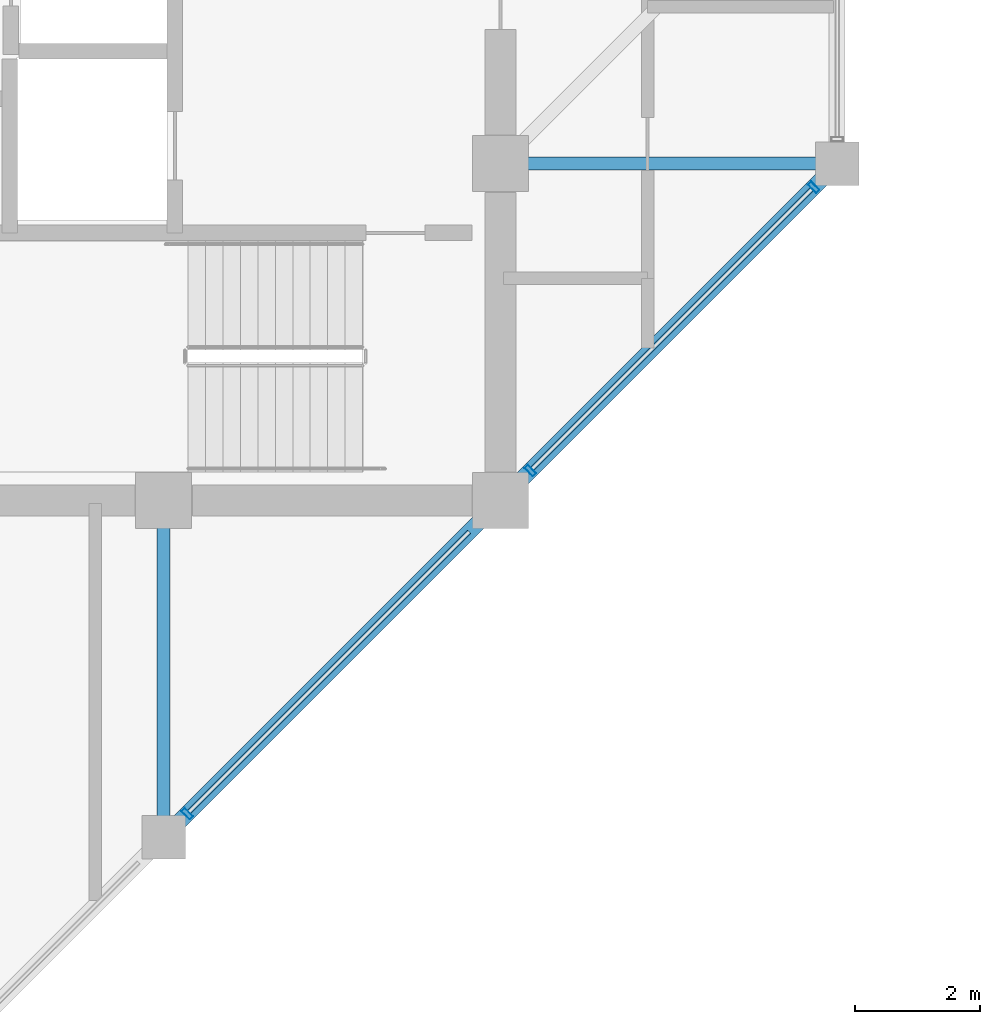
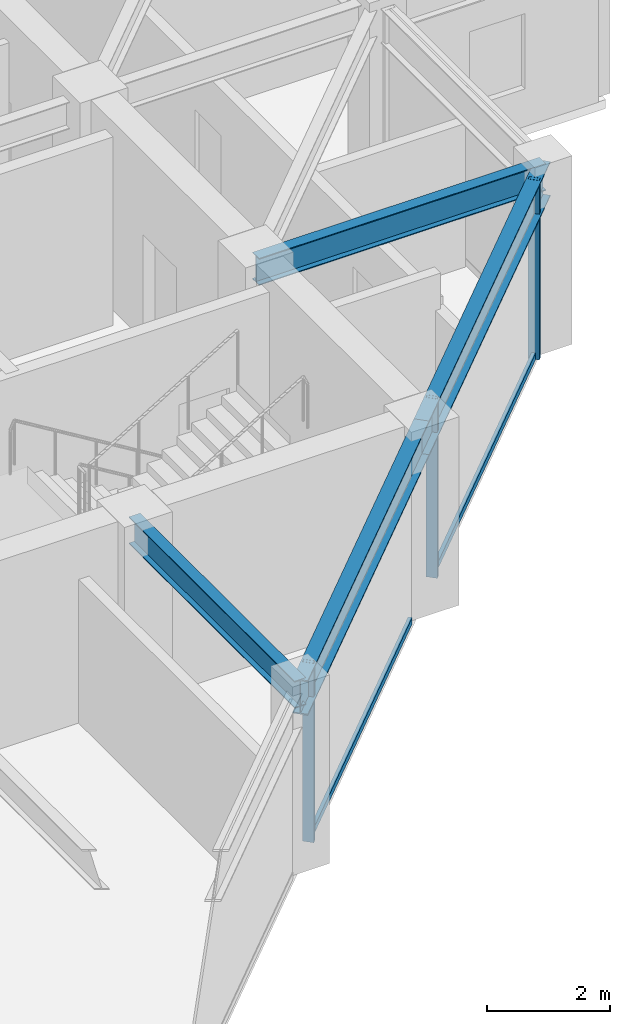
# One storey, part 10 of 30: 5 members, 4 beams, 1 element without a shape of its own.
"""IFC4 building model written with IfcOpenShell, lengths in metres."""

from ifc_helpers import new_model, si_unit, direction, frame, origin, origin_2d, place, context, subcontext, project, spatial, hollow_rectangle, i_section, extrude, material, layer, layer_set, material_profile, profile_set, type_object, element, aggregate, save


model = new_model("IFC4")

# Units and contexts
model_context = context("Model", 3, precision=1e-05, world=origin(), true_north=direction((0.0, 1.0)))
body_context = subcontext(model_context, "Body", "Model", "MODEL_VIEW")
ifc_project = project(units=[si_unit("LENGTHUNIT", "METRE"), si_unit("AREAUNIT", "SQUARE_METRE"), si_unit("VOLUMEUNIT", "CUBIC_METRE"), si_unit("PLANEANGLEUNIT", "RADIAN"), si_unit("MASSUNIT", "GRAM", prefix="KILO")], contexts=[model_context])

# Site, building, storey
site_placement = place(None, origin())
site = spatial("IfcSite", under=ifc_project, at=site_placement, CompositionType="ELEMENT")
building_placement = place(site_placement, origin())
building = spatial("IfcBuilding", under=site, at=building_placement, Name="Surkhivell Harbour Commons", CompositionType="ELEMENT")
storey_placement = place(building_placement, frame((0.0, 0.0, 303.75)))
storey = spatial("IfcBuildingStorey", under=building, at=storey_placement, Name="L79", CompositionType="ELEMENT", Elevation=303.75)

# Beams
ifc_material_1 = material(Name="Steel S355", Category="steel")
ifc_material_profile_1 = material_profile(ifc_material_1, i_section(OverallWidth=0.2099609375, OverallDepth=0.537109375, WebThickness=0.0107421875, FlangeThickness=0.017333984375, at=origin_2d()), Name="UB533x210x101")
ifc_profile_set_1 = profile_set([ifc_material_profile_1], Name="Steel S355")
beam_type_1 = type_object("IfcBeamType", Name="BM-GRD-533B", PredefinedType="BEAM", material=ifc_profile_set_1)
for number, where, z_axis, x_axis, name in (
    (1, (5.39990234375, -16.199951171875, 3.301513671875), (0.0, 1.0, 0.0), (-1.0, 0.0, 0.0), "L79 Floor Girder (5.4,-16.2)"),
    (2, (10.800048828125, -5.39990234375, 3.301513671875), (1.0, 0.0, 0.0), (0.0, 1.0, 0.0), "L79 Floor Girder (10.8,-5.4)"),
):
    element("IfcBeam", number, at=place(storey_placement, frame(where, z_axis=z_axis, x_axis=x_axis)), inside=storey, type_object=beam_type_1, Name=name, PredefinedType="BEAM", context=body_context, shape_type="SweptSolid", body=[
        extrude(i_section(OverallWidth=0.2099609375, OverallDepth=0.537109375, WebThickness=0.0107421875, FlangeThickness=0.017333984375, at=origin_2d()), origin(), (0.0, 0.0, 1.0), 5.39990234375),
    ])
ifc_material_profile_2 = material_profile(ifc_material_1, i_section(OverallWidth=0.256103515625, OverallDepth=0.693115234375, WebThickness=0.014404296875, FlangeThickness=0.023681640625, at=origin_2d()), Name="UB686x254x170")
ifc_profile_set_2 = profile_set([ifc_material_profile_2], Name="Steel S355")
beam_type_2 = type_object("IfcBeamType", Name="BM-SPN-686", PredefinedType="SPANDREL", material=ifc_profile_set_2)
for number, where, z_axis, x_axis, name in (
    (3, (5.39990234375, -16.199951171875, 3.223388671875), (0.707122765516, 0.707090796496, 0.0), (-0.707090796496, 0.707122765516, 0.0), "L79 Tube Spandrel (5.4,-16.2)"),
    (4, (10.800048828125, -10.800048828125, 3.223388671875), (0.707090796496, 0.707122765516, 0.0), (-0.707122765516, 0.707090796496, 0.0), "L79 Tube Spandrel (10.8,-10.8)"),
):
    element("IfcBeam", number, at=place(storey_placement, frame(where, z_axis=z_axis, x_axis=x_axis)), inside=storey, type_object=beam_type_2, Name=name, PredefinedType="SPANDREL", context=body_context, shape_type="SweptSolid", body=[
        extrude(i_section(OverallWidth=0.256103515625, OverallDepth=0.693115234375, WebThickness=0.014404296875, FlangeThickness=0.023681640625, at=origin_2d()), origin(), (0.0, 0.0, 1.0), 7.63671875),
    ])

# Curtain wall, members
ifc_material_2 = material(Name="Anodised pale-metal aluminium and insulated glazing", Category="aluminium")
ifc_layer = layer(ifc_material_2, 0.175048828125)
ifc_layer_set = layer_set([ifc_layer], Name="Anodised pale-metal aluminium and insulated glazing")
curtain_wall_type = type_object("IfcCurtainWallType", Name="CW-SYS-Z4", PredefinedType="NOTDEFINED", material=ifc_layer_set)
curtain_wall_placement = place(storey_placement, origin())
curtain_wall = element("IfcCurtainWall", 5, at=curtain_wall_placement, inside=storey, type_object=curtain_wall_type, Name="L79 Curtain Wall CW-L79-E01", PredefinedType="NOTDEFINED")
ifc_material_3 = material(Name="Anodised pale-metal aluminium alloy 6063-T6", Category="aluminium")
ifc_material_profile_3 = material_profile(ifc_material_3, hollow_rectangle(XDim=0.074951171875, YDim=0.18994140625, WallThickness=0.00390625, at=origin_2d()), Name="ALU-MULL-75x190")
ifc_profile_set_3 = profile_set([ifc_material_profile_3], Name="Anodised pale-metal aluminium alloy 6063-T6")
member_type_1 = type_object("IfcMemberType", Name="CWM-190", PredefinedType="MULLION", material=ifc_profile_set_3)
member_1_placement = place(storey_placement, frame((5.778076171875, -15.82177734375, 0.0), z_axis=(0.0, 0.0, 1.0), x_axis=(0.707106781187, 0.707106781187, 0.0)))
member_1 = element("IfcMember", 6, at=member_1_placement, type_object=member_type_1, Name="CW-Z4 mullion 2", PredefinedType="MULLION", context=body_context, shape_type="SweptSolid", body=[
    extrude(hollow_rectangle(XDim=0.074951171875, YDim=0.18994140625, WallThickness=0.00390625, at=origin_2d()), origin(), (0.0, 0.0, 1.0), 3.570068359375),
])
member_2_placement = place(storey_placement, frame((11.278076171875, -10.32177734375, 0.0), z_axis=(0.0, 0.0, 1.0), x_axis=(0.707106781187, 0.707106781187, 0.0)))
member_2 = element("IfcMember", 7, at=member_2_placement, type_object=member_type_1, Name="CW-Z4 mullion 3", PredefinedType="MULLION", context=body_context, shape_type="SweptSolid", body=[
    extrude(hollow_rectangle(XDim=0.074951171875, YDim=0.18994140625, WallThickness=0.00390625, at=origin_2d()), origin(), (0.0, 0.0, 1.0), 3.570068359375),
])
member_3_placement = place(storey_placement, frame((15.82177734375, -5.778076171875, 0.0), z_axis=(0.0, 0.0, 1.0), x_axis=(0.707106781187, 0.707106781187, 0.0)))
member_3 = element("IfcMember", 8, at=member_3_placement, type_object=member_type_1, Name="CW-Z4 mullion 4", PredefinedType="MULLION", context=body_context, shape_type="SweptSolid", body=[
    extrude(hollow_rectangle(XDim=0.074951171875, YDim=0.18994140625, WallThickness=0.00390625, at=origin_2d()), origin(), (0.0, 0.0, 1.0), 3.570068359375),
])
ifc_material_4 = material(Name="Champagne anodised aluminium alloy 6063-T6", Category="aluminium")
ifc_material_profile_4 = material_profile(ifc_material_4, hollow_rectangle(XDim=0.070068359375, YDim=0.1298828125, WallThickness=0.00341796875, at=origin_2d()), Name="ALU-TRAN-70x130")
ifc_profile_set_4 = profile_set([ifc_material_profile_4], Name="Champagne anodised aluminium alloy 6063-T6")
member_type_2 = type_object("IfcMemberType", Name="CWT-130", PredefinedType="USERDEFINED", material=ifc_profile_set_4)
member_4_placement = place(storey_placement, frame((5.8046875, -15.79541015625, 0.06494140625), z_axis=(0.707106781187, 0.707106781187, 0.0), x_axis=(-0.707106781187, 0.707106781187, 0.0)))
member_4 = element("IfcMember", 9, at=member_4_placement, type_object=member_type_2, Name="CW-Z4 transom 2.1", ObjectType="TRANSOM", PredefinedType="USERDEFINED", context=body_context, shape_type="SweptSolid", body=[
    extrude(hollow_rectangle(XDim=0.070068359375, YDim=0.1298828125, WallThickness=0.00341796875, at=origin_2d()), origin(), (0.0, 0.0, 1.0), 6.350830078125),
])
member_5_placement = place(storey_placement, frame((11.3046875, -10.29541015625, 0.06494140625), z_axis=(0.707106781187, 0.707106781187, 0.0), x_axis=(-0.707106781187, 0.707106781187, 0.0)))
member_5 = element("IfcMember", 10, at=member_5_placement, type_object=member_type_2, Name="CW-Z4 transom 3.1", ObjectType="TRANSOM", PredefinedType="USERDEFINED", context=body_context, shape_type="SweptSolid", body=[
    extrude(hollow_rectangle(XDim=0.070068359375, YDim=0.1298828125, WallThickness=0.00341796875, at=origin_2d()), origin(), (0.0, 0.0, 1.0), 6.350830078125),
])
aggregate(curtain_wall, [member_1, member_4, member_2, member_3, member_5])

save(model, "model.ifc")
